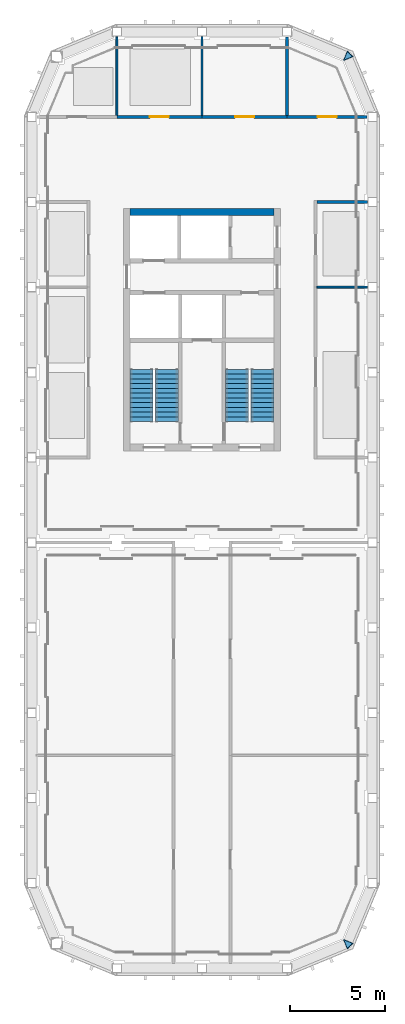
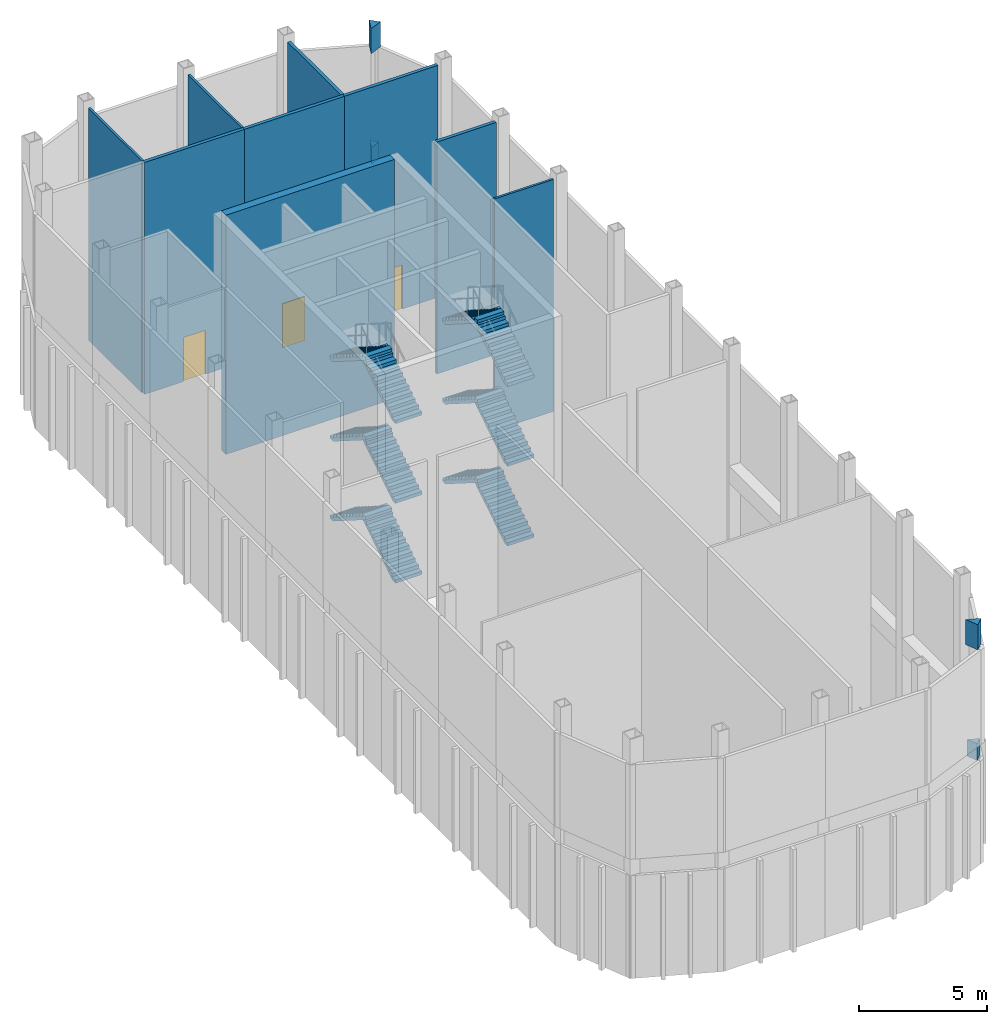
# One storey, part 3 of 8: 12 stair flights, 9 walls, 4 discrete accessories, 3 doors, 3 openings, 2 elements without a shape of their own.
"""IFC4 building model written with IfcOpenShell, lengths in metres."""

from ifc_helpers import new_model, si_unit, direction, frame, frame_2d, origin, place, context, subcontext, project, spatial, polyline, rectangle, outline, extrude, material, layer, layer_set, type_object, element, fill, aggregate, save


model = new_model("IFC4")

# Units and contexts
model_context = context("Model", 3, precision=1e-05, world=origin(), true_north=direction((0.0, 1.0)))
body_context = subcontext(model_context, "Body", "Model", "MODEL_VIEW")
ifc_project = project(units=[si_unit("LENGTHUNIT", "METRE"), si_unit("AREAUNIT", "SQUARE_METRE"), si_unit("VOLUMEUNIT", "CUBIC_METRE"), si_unit("PLANEANGLEUNIT", "RADIAN"), si_unit("MASSUNIT", "GRAM", prefix="KILO")], contexts=[model_context])

# Site, building, storey
site_placement = place(None, origin())
site = spatial("IfcSite", under=ifc_project, at=site_placement, CompositionType="ELEMENT")
building_placement = place(site_placement, origin())
building = spatial("IfcBuilding", under=site, at=building_placement, Name="Girih Gate Residences", CompositionType="ELEMENT")
storey_placement = place(building_placement, frame((0.0, 0.0, 235.695068359375)))
storey = spatial("IfcBuildingStorey", under=building, at=storey_placement, Name="L66", CompositionType="ELEMENT", Elevation=235.695068359375)

# Wall, opening, door
ifc_material_1 = material(Name="Gypsum board on steel studs", Category="steel")
ifc_layer_1 = layer(ifc_material_1, 0.14990234375)
ifc_layer_set_1 = layer_set([ifc_layer_1], Name="Compartment wall 150 mm")
wall_type_1 = type_object("IfcWallType", Name="Compartment wall 150 mm", PredefinedType="PARTITIONING", material=ifc_layer_set_1)
wall_1_placement = place(storey_placement, frame((4.5, 45.0, 0.0), z_axis=(0.0, 0.0, 1.0), x_axis=(1.0, 0.0, 0.0)))
wall_1 = element("IfcWall", 1, at=wall_1_placement, inside=storey, type_object=wall_type_1, Name="L66 partition", PredefinedType="PARTITIONING", context=body_context, shape_type="SweptSolid", body=[
    extrude(rectangle(XDim=4.5, YDim=0.14990234375, at=frame_2d((2.25, 0.0))), origin(), (0.0, 0.0, 1.0), 11.050048828125),
])
opening_1_placement = place(wall_1_placement, frame((1.75, 0.0, 0.0)))
opening_1 = element("IfcOpeningElement", 2, at=opening_1_placement, cuts=wall_1, Name="Opening D-L66-S-006", PredefinedType="OPENING", context=body_context, shape_type="SweptSolid", body=[
    extrude(rectangle(XDim=1.0, YDim=2.10009765625, at=frame_2d((0.5, 1.050048828125))), frame((0.0, 0.0849609375, 0.0), z_axis=(0.0, -1.0, 0.0), x_axis=(1.0, 0.0, 0.0)), (0.0, 0.0, 1.0), 0.169921875),
])
ifc_material_2 = material(Name="Painted steel, fire-resisting", Category="steel")
door_type = type_object("IfcDoorType", Name="Plant room door 1000x2100 FD60", OperationType="SINGLE_SWING_LEFT", PredefinedType="DOOR", material=ifc_material_2)
door_1_placement = place(opening_1_placement, origin())
door_1 = element("IfcDoor", 3, at=door_1_placement, inside=storey, type_object=door_type, Name="Door L66-006", OperationType="SINGLE_SWING_RIGHT", OverallHeight=2.10009765625, OverallWidth=1.0, PredefinedType="DOOR", context=body_context, shape_type="SweptSolid", body=[
    extrude(rectangle(XDim=1.0, YDim=2.10009765625, at=frame_2d((0.5, 1.050048828125))), frame((0.0, 0.02490234375, 0.0), z_axis=(0.0, -1.0, 0.0), x_axis=(1.0, 0.0, 0.0)), (0.0, 0.0, 1.0), 0.050048828125),
])
fill(opening_1, door_1)

# Wall
wall_2_placement = place(storey_placement, frame((13.5, 45.074951171875, 0.0), z_axis=(0.0, 0.0, 1.0), x_axis=(0.0, 1.0, 0.0)))
element("IfcWall", 4, at=wall_2_placement, inside=storey, type_object=wall_type_1, Name="L66 partition", PredefinedType="PARTITIONING", context=body_context, shape_type="SweptSolid", body=[
    extrude(rectangle(XDim=4.154541015625, YDim=0.14990234375, at=frame_2d((2.0771484375, 0.0))), origin(), (0.0, 0.0, 1.0), 11.050048828125),
])

# Wall, opening, door
wall_3_placement = place(storey_placement, frame((9.0, 45.0, 0.0), z_axis=(0.0, 0.0, 1.0), x_axis=(1.0, 0.0, 0.0)))
wall_3 = element("IfcWall", 5, at=wall_3_placement, inside=storey, type_object=wall_type_1, Name="L66 partition", PredefinedType="PARTITIONING", context=body_context, shape_type="SweptSolid", body=[
    extrude(rectangle(XDim=4.5, YDim=0.14990234375, at=frame_2d((2.25, 0.0))), origin(), (0.0, 0.0, 1.0), 11.050048828125),
])
opening_2_placement = place(wall_3_placement, frame((1.75, 0.0, 0.0)))
opening_2 = element("IfcOpeningElement", 6, at=opening_2_placement, cuts=wall_3, Name="Opening D-L66-S-007", PredefinedType="OPENING", context=body_context, shape_type="SweptSolid", body=[
    extrude(rectangle(XDim=1.0, YDim=2.10009765625, at=frame_2d((0.5, 1.050048828125))), frame((0.0, 0.0849609375, 0.0), z_axis=(0.0, -1.0, 0.0), x_axis=(1.0, 0.0, 0.0)), (0.0, 0.0, 1.0), 0.169921875),
])
door_2_placement = place(opening_2_placement, origin())
door_2 = element("IfcDoor", 7, at=door_2_placement, inside=storey, type_object=door_type, Name="Door L66-007", OperationType="SINGLE_SWING_RIGHT", OverallHeight=2.10009765625, OverallWidth=1.0, PredefinedType="DOOR", context=body_context, shape_type="SweptSolid", body=[
    extrude(rectangle(XDim=1.0, YDim=2.10009765625, at=frame_2d((0.5, 1.050048828125))), frame((0.0, 0.02490234375, 0.0), z_axis=(0.0, -1.0, 0.0), x_axis=(1.0, 0.0, 0.0)), (0.0, 0.0, 1.0), 0.050048828125),
])
fill(opening_2, door_2)

wall_4_placement = place(storey_placement, frame((13.5, 45.0, 0.0), z_axis=(0.0, 0.0, 1.0), x_axis=(1.0, 0.0, 0.0)))
wall_4 = element("IfcWall", 8, at=wall_4_placement, inside=storey, type_object=wall_type_1, Name="L66 partition", PredefinedType="PARTITIONING", context=body_context, shape_type="SweptSolid", body=[
    extrude(rectangle(XDim=4.2294921875, YDim=0.14990234375, at=frame_2d((2.11474609375, 0.0))), origin(), (0.0, 0.0, 1.0), 11.050048828125),
])
opening_3_placement = place(wall_4_placement, frame((1.61474609375, 0.0, 0.0)))
opening_3 = element("IfcOpeningElement", 9, at=opening_3_placement, cuts=wall_4, Name="Opening D-L66-S-008", PredefinedType="OPENING", context=body_context, shape_type="SweptSolid", body=[
    extrude(rectangle(XDim=1.0, YDim=2.10009765625, at=frame_2d((0.5, 1.050048828125))), frame((0.0, 0.0849609375, 0.0), z_axis=(0.0, -1.0, 0.0), x_axis=(1.0, 0.0, 0.0)), (0.0, 0.0, 1.0), 0.169921875),
])
door_3_placement = place(opening_3_placement, origin())
door_3 = element("IfcDoor", 10, at=door_3_placement, inside=storey, type_object=door_type, Name="Door L66-008", OperationType="SINGLE_SWING_RIGHT", OverallHeight=2.10009765625, OverallWidth=1.0, PredefinedType="DOOR", context=body_context, shape_type="SweptSolid", body=[
    extrude(rectangle(XDim=1.0, YDim=2.10009765625, at=frame_2d((0.5, 1.050048828125))), frame((0.0, 0.02490234375, 0.0), z_axis=(0.0, -1.0, 0.0), x_axis=(1.0, 0.0, 0.0)), (0.0, 0.0, 1.0), 0.050048828125),
])
fill(opening_3, door_3)

# Walls
wall_5_placement = place(storey_placement, frame((15.074951171875, 40.5, 0.0), z_axis=(0.0, 0.0, 1.0), x_axis=(1.0, 0.0, 0.0)))
element("IfcWall", 11, at=wall_5_placement, inside=storey, type_object=wall_type_1, Name="L66 partition", PredefinedType="PARTITIONING", context=body_context, shape_type="SweptSolid", body=[
    extrude(rectangle(XDim=2.675048828125, YDim=0.14990234375, at=frame_2d((1.33740234375, 0.0))), origin(), (0.0, 0.0, 1.0), 11.050048828125),
])
ifc_material_3 = material(Name="Concrete C60/75", Category="concrete")
ifc_layer_2 = layer(ifc_material_3, 0.35009765625)
ifc_layer_set_2 = layer_set([ifc_layer_2], Name="Core wall RC 350 Concrete C60/75")
wall_type_2 = type_object("IfcWallType", Name="Core wall RC 350 Concrete C60/75", PredefinedType="SOLIDWALL", material=ifc_layer_set_2)
wall_6_placement = place(storey_placement, frame((5.199951171875, 39.97509765625, 0.0), z_axis=(0.0, 0.0, 1.0), x_axis=(1.0, 0.0, 0.0)))
element("IfcWall", 12, at=wall_6_placement, inside=storey, type_object=wall_type_2, Name="Core wall W-N L66", PredefinedType="SOLIDWALL", context=body_context, shape_type="SweptSolid", body=[
    extrude(rectangle(XDim=7.60009765625, YDim=0.35009765625, at=frame_2d((3.800048828125, 0.0))), origin(), (0.0, 0.0, 1.0), 11.39990234375),
])
ifc_layer_3 = layer(ifc_material_1, 0.10009765625)
ifc_layer_set_3 = layer_set([ifc_layer_3], Name="Partition 100 mm")
wall_type_3 = type_object("IfcWallType", Name="Partition 100 mm", PredefinedType="PARTITIONING", material=ifc_layer_set_3)
wall_7_placement = place(storey_placement, frame((4.5, 45.074951171875, 0.0), z_axis=(0.0, 0.0, 1.0), x_axis=(0.0, 1.0, 0.0)))
element("IfcWall", 13, at=wall_7_placement, inside=storey, type_object=wall_type_3, Name="L66 partition", PredefinedType="PARTITIONING", context=body_context, shape_type="SweptSolid", body=[
    extrude(rectangle(XDim=4.154541015625, YDim=0.10009765625, at=frame_2d((2.0771484375, 0.0))), origin(), (0.0, 0.0, 1.0), 11.050048828125),
])
wall_8_placement = place(storey_placement, frame((9.0, 45.074951171875, 0.0), z_axis=(0.0, 0.0, 1.0), x_axis=(0.0, 1.0, 0.0)))
element("IfcWall", 14, at=wall_8_placement, inside=storey, type_object=wall_type_3, Name="L66 partition", PredefinedType="PARTITIONING", context=body_context, shape_type="SweptSolid", body=[
    extrude(rectangle(XDim=4.175048828125, YDim=0.10009765625, at=frame_2d((2.08740234375, 0.0))), origin(), (0.0, 0.0, 1.0), 11.050048828125),
])
wall_9_placement = place(storey_placement, frame((15.074951171875, 36.0, 0.0), z_axis=(0.0, 0.0, 1.0), x_axis=(1.0, 0.0, 0.0)))
element("IfcWall", 15, at=wall_9_placement, inside=storey, type_object=wall_type_3, Name="L66 partition", PredefinedType="PARTITIONING", context=body_context, shape_type="SweptSolid", body=[
    extrude(rectangle(XDim=2.675048828125, YDim=0.10009765625, at=frame_2d((1.33740234375, 0.0))), origin(), (0.0, 0.0, 1.0), 11.050048828125),
])

# Stair, stair flights
ifc_material_4 = material(Name="Concrete C40/50", Category="concrete")
stair_type = type_object("IfcStairType", Name="Exit stair", PredefinedType="HALF_TURN_STAIR", material=ifc_material_4)
stair_1_placement = place(storey_placement, origin())
stair_1 = element("IfcStair", 16, at=stair_1_placement, inside=storey, type_object=stair_type, Name="L66 Exit Stair ST-W1", PredefinedType="HALF_TURN_STAIR")
stair_flight_type = type_object("IfcStairFlightType", Name="Stair flight 1200", PredefinedType="STRAIGHT", material=ifc_material_4)
stair_flight_1_placement = place(storey_placement, frame((7.14990234375, 28.89990234375, 0.0), z_axis=(0.0, 0.0, 1.0), x_axis=(0.0, 1.0, 0.0)))
stair_flight_1 = element("IfcStairFlight", 17, at=stair_flight_1_placement, type_object=stair_flight_type, Name="ST-W1 flight 1", NumberOfRisers=12, NumberOfTreads=11, PredefinedType="STRAIGHT", RiserHeight=0.158333333, TreadLength=0.25, context=body_context, shape_type="SweptSolid", body=[
    extrude(outline(polyline([(0.0, 0.0), (0.0, 0.158447265625), (0.25, 0.158447265625), (0.25, 0.316650390625), (0.5, 0.316650390625), (0.5, 0.47509765625), (0.75, 0.47509765625), (0.75, 0.63330078125), (1.0, 0.63330078125), (1.0, 0.791748046875), (1.25, 0.791748046875), (1.25, 0.949951171875), (1.5, 0.949951171875), (1.5, 1.1083984375), (1.75, 1.1083984375), (1.75, 1.2666015625), (2.0, 1.2666015625), (2.0, 1.425048828125), (2.25, 1.425048828125), (2.25, 1.583251953125), (2.5, 1.583251953125), (2.5, 1.74169921875), (2.75, 1.74169921875), (2.75, 1.89990234375), (2.75, 1.599365234375), (0.224609375, 0.0), (0.0, 0.0)])), frame((0.0, 0.60009765625, 0.0), z_axis=(0.0, -1.0, 0.0), x_axis=(1.0, 0.0, 0.0)), (0.0, 0.0, 1.0), 1.199951171875),
])
stair_flight_2_placement = place(storey_placement, frame((5.800048828125, 31.64990234375, 1.89990234375), z_axis=(0.0, 0.0, 1.0), x_axis=(0.0, -1.0, 0.0)))
stair_flight_2 = element("IfcStairFlight", 18, at=stair_flight_2_placement, type_object=stair_flight_type, Name="ST-W1 flight 2", NumberOfRisers=12, NumberOfTreads=11, PredefinedType="STRAIGHT", RiserHeight=0.158333333, TreadLength=0.25, context=body_context, shape_type="SweptSolid", body=[
    extrude(outline(polyline([(0.0, 0.0), (0.0, 0.158447265625), (0.25, 0.158447265625), (0.25, 0.316650390625), (0.5, 0.316650390625), (0.5, 0.47509765625), (0.75, 0.47509765625), (0.75, 0.63330078125), (1.0, 0.63330078125), (1.0, 0.791748046875), (1.25, 0.791748046875), (1.25, 0.949951171875), (1.5, 0.949951171875), (1.5, 1.1083984375), (1.75, 1.1083984375), (1.75, 1.2666015625), (2.0, 1.2666015625), (2.0, 1.425048828125), (2.25, 1.425048828125), (2.25, 1.583251953125), (2.5, 1.583251953125), (2.5, 1.74169921875), (2.75, 1.74169921875), (2.75, 1.89990234375), (2.75, 1.599365234375), (0.224609375, 0.0), (0.0, 0.0)])), frame((0.0, 0.60009765625, 0.0), z_axis=(0.0, -1.0, 0.0), x_axis=(1.0, 0.0, 0.0)), (0.0, 0.0, 1.0), 1.199951171875),
])
stair_flight_3_placement = place(storey_placement, frame((7.14990234375, 28.89990234375, 3.800048828125), z_axis=(0.0, 0.0, 1.0), x_axis=(0.0, 1.0, 0.0)))
stair_flight_3 = element("IfcStairFlight", 19, at=stair_flight_3_placement, type_object=stair_flight_type, Name="ST-W1 flight 3", NumberOfRisers=12, NumberOfTreads=11, PredefinedType="STRAIGHT", RiserHeight=0.158333333, TreadLength=0.25, context=body_context, shape_type="SweptSolid", body=[
    extrude(outline(polyline([(0.0, 0.0), (0.0, 0.158447265625), (0.25, 0.158447265625), (0.25, 0.316650390625), (0.5, 0.316650390625), (0.5, 0.47509765625), (0.75, 0.47509765625), (0.75, 0.63330078125), (1.0, 0.63330078125), (1.0, 0.791748046875), (1.25, 0.791748046875), (1.25, 0.949951171875), (1.5, 0.949951171875), (1.5, 1.1083984375), (1.75, 1.1083984375), (1.75, 1.2666015625), (2.0, 1.2666015625), (2.0, 1.425048828125), (2.25, 1.425048828125), (2.25, 1.583251953125), (2.5, 1.583251953125), (2.5, 1.74169921875), (2.75, 1.74169921875), (2.75, 1.89990234375), (2.75, 1.599365234375), (0.224609375, 0.0), (0.0, 0.0)])), frame((0.0, 0.60009765625, 0.0), z_axis=(0.0, -1.0, 0.0), x_axis=(1.0, 0.0, 0.0)), (0.0, 0.0, 1.0), 1.199951171875),
])
stair_flight_4_placement = place(storey_placement, frame((5.800048828125, 31.64990234375, 5.699951171875), z_axis=(0.0, 0.0, 1.0), x_axis=(0.0, -1.0, 0.0)))
stair_flight_4 = element("IfcStairFlight", 20, at=stair_flight_4_placement, type_object=stair_flight_type, Name="ST-W1 flight 4", NumberOfRisers=12, NumberOfTreads=11, PredefinedType="STRAIGHT", RiserHeight=0.158333333, TreadLength=0.25, context=body_context, shape_type="SweptSolid", body=[
    extrude(outline(polyline([(0.0, 0.0), (0.0, 0.158447265625), (0.25, 0.158447265625), (0.25, 0.316650390625), (0.5, 0.316650390625), (0.5, 0.47509765625), (0.75, 0.47509765625), (0.75, 0.63330078125), (1.0, 0.63330078125), (1.0, 0.791748046875), (1.25, 0.791748046875), (1.25, 0.949951171875), (1.5, 0.949951171875), (1.5, 1.1083984375), (1.75, 1.1083984375), (1.75, 1.2666015625), (2.0, 1.2666015625), (2.0, 1.425048828125), (2.25, 1.425048828125), (2.25, 1.583251953125), (2.5, 1.583251953125), (2.5, 1.74169921875), (2.75, 1.74169921875), (2.75, 1.89990234375), (2.75, 1.599365234375), (0.224609375, 0.0), (0.0, 0.0)])), frame((0.0, 0.60009765625, 0.0), z_axis=(0.0, -1.0, 0.0), x_axis=(1.0, 0.0, 0.0)), (0.0, 0.0, 1.0), 1.199951171875),
])
stair_flight_5_placement = place(storey_placement, frame((7.14990234375, 28.89990234375, 7.599853515625), z_axis=(0.0, 0.0, 1.0), x_axis=(0.0, 1.0, 0.0)))
stair_flight_5 = element("IfcStairFlight", 21, at=stair_flight_5_placement, type_object=stair_flight_type, Name="ST-W1 flight 5", NumberOfRisers=12, NumberOfTreads=11, PredefinedType="STRAIGHT", RiserHeight=0.158333333, TreadLength=0.25, context=body_context, shape_type="SweptSolid", body=[
    extrude(outline(polyline([(0.0, 0.0), (0.0, 0.158447265625), (0.25, 0.158447265625), (0.25, 0.316650390625), (0.5, 0.316650390625), (0.5, 0.47509765625), (0.75, 0.47509765625), (0.75, 0.63330078125), (1.0, 0.63330078125), (1.0, 0.791748046875), (1.25, 0.791748046875), (1.25, 0.949951171875), (1.5, 0.949951171875), (1.5, 1.1083984375), (1.75, 1.1083984375), (1.75, 1.2666015625), (2.0, 1.2666015625), (2.0, 1.425048828125), (2.25, 1.425048828125), (2.25, 1.583251953125), (2.5, 1.583251953125), (2.5, 1.74169921875), (2.75, 1.74169921875), (2.75, 1.89990234375), (2.75, 1.599365234375), (0.224609375, 0.0), (0.0, 0.0)])), frame((0.0, 0.60009765625, 0.0), z_axis=(0.0, -1.0, 0.0), x_axis=(1.0, 0.0, 0.0)), (0.0, 0.0, 1.0), 1.199951171875),
])
stair_flight_6_placement = place(storey_placement, frame((5.800048828125, 31.64990234375, 9.5), z_axis=(0.0, 0.0, 1.0), x_axis=(0.0, -1.0, 0.0)))
stair_flight_6 = element("IfcStairFlight", 22, at=stair_flight_6_placement, type_object=stair_flight_type, Name="ST-W1 flight 6", NumberOfRisers=12, NumberOfTreads=11, PredefinedType="STRAIGHT", RiserHeight=0.158333333, TreadLength=0.25, context=body_context, shape_type="SweptSolid", body=[
    extrude(outline(polyline([(0.0, 0.0), (0.0, 0.158447265625), (0.25, 0.158447265625), (0.25, 0.316650390625), (0.5, 0.316650390625), (0.5, 0.47509765625), (0.75, 0.47509765625), (0.75, 0.63330078125), (1.0, 0.63330078125), (1.0, 0.791748046875), (1.25, 0.791748046875), (1.25, 0.949951171875), (1.5, 0.949951171875), (1.5, 1.1083984375), (1.75, 1.1083984375), (1.75, 1.2666015625), (2.0, 1.2666015625), (2.0, 1.425048828125), (2.25, 1.425048828125), (2.25, 1.583251953125), (2.5, 1.583251953125), (2.5, 1.74169921875), (2.75, 1.74169921875), (2.75, 1.89990234375), (2.75, 1.599365234375), (0.224609375, 0.0), (0.0, 0.0)])), frame((0.0, 0.60009765625, 0.0), z_axis=(0.0, -1.0, 0.0), x_axis=(1.0, 0.0, 0.0)), (0.0, 0.0, 1.0), 1.199951171875),
])
aggregate(stair_1, [stair_flight_1, stair_flight_2, stair_flight_3, stair_flight_4, stair_flight_5, stair_flight_6])

stair_2_placement = place(storey_placement, origin())
stair_2 = element("IfcStair", 23, at=stair_2_placement, inside=storey, type_object=stair_type, Name="L66 Exit Stair ST-W2", PredefinedType="HALF_TURN_STAIR")
stair_flight_7_placement = place(storey_placement, frame((12.199951171875, 28.89990234375, 0.0), z_axis=(0.0, 0.0, 1.0), x_axis=(0.0, 1.0, 0.0)))
stair_flight_7 = element("IfcStairFlight", 24, at=stair_flight_7_placement, type_object=stair_flight_type, Name="ST-W2 flight 1", NumberOfRisers=12, NumberOfTreads=11, PredefinedType="STRAIGHT", RiserHeight=0.158333333, TreadLength=0.25, context=body_context, shape_type="SweptSolid", body=[
    extrude(outline(polyline([(0.0, 0.0), (0.0, 0.158447265625), (0.25, 0.158447265625), (0.25, 0.316650390625), (0.5, 0.316650390625), (0.5, 0.47509765625), (0.75, 0.47509765625), (0.75, 0.63330078125), (1.0, 0.63330078125), (1.0, 0.791748046875), (1.25, 0.791748046875), (1.25, 0.949951171875), (1.5, 0.949951171875), (1.5, 1.1083984375), (1.75, 1.1083984375), (1.75, 1.2666015625), (2.0, 1.2666015625), (2.0, 1.425048828125), (2.25, 1.425048828125), (2.25, 1.583251953125), (2.5, 1.583251953125), (2.5, 1.74169921875), (2.75, 1.74169921875), (2.75, 1.89990234375), (2.75, 1.599365234375), (0.224609375, 0.0), (0.0, 0.0)])), frame((0.0, 0.60009765625, 0.0), z_axis=(0.0, -1.0, 0.0), x_axis=(1.0, 0.0, 0.0)), (0.0, 0.0, 1.0), 1.199951171875),
])
stair_flight_8_placement = place(storey_placement, frame((10.85009765625, 31.64990234375, 1.89990234375), z_axis=(0.0, 0.0, 1.0), x_axis=(0.0, -1.0, 0.0)))
stair_flight_8 = element("IfcStairFlight", 25, at=stair_flight_8_placement, type_object=stair_flight_type, Name="ST-W2 flight 2", NumberOfRisers=12, NumberOfTreads=11, PredefinedType="STRAIGHT", RiserHeight=0.158333333, TreadLength=0.25, context=body_context, shape_type="SweptSolid", body=[
    extrude(outline(polyline([(0.0, 0.0), (0.0, 0.158447265625), (0.25, 0.158447265625), (0.25, 0.316650390625), (0.5, 0.316650390625), (0.5, 0.47509765625), (0.75, 0.47509765625), (0.75, 0.63330078125), (1.0, 0.63330078125), (1.0, 0.791748046875), (1.25, 0.791748046875), (1.25, 0.949951171875), (1.5, 0.949951171875), (1.5, 1.1083984375), (1.75, 1.1083984375), (1.75, 1.2666015625), (2.0, 1.2666015625), (2.0, 1.425048828125), (2.25, 1.425048828125), (2.25, 1.583251953125), (2.5, 1.583251953125), (2.5, 1.74169921875), (2.75, 1.74169921875), (2.75, 1.89990234375), (2.75, 1.599365234375), (0.224609375, 0.0), (0.0, 0.0)])), frame((0.0, 0.60009765625, 0.0), z_axis=(0.0, -1.0, 0.0), x_axis=(1.0, 0.0, 0.0)), (0.0, 0.0, 1.0), 1.199951171875),
])
stair_flight_9_placement = place(storey_placement, frame((12.199951171875, 28.89990234375, 3.800048828125), z_axis=(0.0, 0.0, 1.0), x_axis=(0.0, 1.0, 0.0)))
stair_flight_9 = element("IfcStairFlight", 26, at=stair_flight_9_placement, type_object=stair_flight_type, Name="ST-W2 flight 3", NumberOfRisers=12, NumberOfTreads=11, PredefinedType="STRAIGHT", RiserHeight=0.158333333, TreadLength=0.25, context=body_context, shape_type="SweptSolid", body=[
    extrude(outline(polyline([(0.0, 0.0), (0.0, 0.158447265625), (0.25, 0.158447265625), (0.25, 0.316650390625), (0.5, 0.316650390625), (0.5, 0.47509765625), (0.75, 0.47509765625), (0.75, 0.63330078125), (1.0, 0.63330078125), (1.0, 0.791748046875), (1.25, 0.791748046875), (1.25, 0.949951171875), (1.5, 0.949951171875), (1.5, 1.1083984375), (1.75, 1.1083984375), (1.75, 1.2666015625), (2.0, 1.2666015625), (2.0, 1.425048828125), (2.25, 1.425048828125), (2.25, 1.583251953125), (2.5, 1.583251953125), (2.5, 1.74169921875), (2.75, 1.74169921875), (2.75, 1.89990234375), (2.75, 1.599365234375), (0.224609375, 0.0), (0.0, 0.0)])), frame((0.0, 0.60009765625, 0.0), z_axis=(0.0, -1.0, 0.0), x_axis=(1.0, 0.0, 0.0)), (0.0, 0.0, 1.0), 1.199951171875),
])
stair_flight_10_placement = place(storey_placement, frame((10.85009765625, 31.64990234375, 5.699951171875), z_axis=(0.0, 0.0, 1.0), x_axis=(0.0, -1.0, 0.0)))
stair_flight_10 = element("IfcStairFlight", 27, at=stair_flight_10_placement, type_object=stair_flight_type, Name="ST-W2 flight 4", NumberOfRisers=12, NumberOfTreads=11, PredefinedType="STRAIGHT", RiserHeight=0.158333333, TreadLength=0.25, context=body_context, shape_type="SweptSolid", body=[
    extrude(outline(polyline([(0.0, 0.0), (0.0, 0.158447265625), (0.25, 0.158447265625), (0.25, 0.316650390625), (0.5, 0.316650390625), (0.5, 0.47509765625), (0.75, 0.47509765625), (0.75, 0.63330078125), (1.0, 0.63330078125), (1.0, 0.791748046875), (1.25, 0.791748046875), (1.25, 0.949951171875), (1.5, 0.949951171875), (1.5, 1.1083984375), (1.75, 1.1083984375), (1.75, 1.2666015625), (2.0, 1.2666015625), (2.0, 1.425048828125), (2.25, 1.425048828125), (2.25, 1.583251953125), (2.5, 1.583251953125), (2.5, 1.74169921875), (2.75, 1.74169921875), (2.75, 1.89990234375), (2.75, 1.599365234375), (0.224609375, 0.0), (0.0, 0.0)])), frame((0.0, 0.60009765625, 0.0), z_axis=(0.0, -1.0, 0.0), x_axis=(1.0, 0.0, 0.0)), (0.0, 0.0, 1.0), 1.199951171875),
])
stair_flight_11_placement = place(storey_placement, frame((12.199951171875, 28.89990234375, 7.599853515625), z_axis=(0.0, 0.0, 1.0), x_axis=(0.0, 1.0, 0.0)))
stair_flight_11 = element("IfcStairFlight", 28, at=stair_flight_11_placement, type_object=stair_flight_type, Name="ST-W2 flight 5", NumberOfRisers=12, NumberOfTreads=11, PredefinedType="STRAIGHT", RiserHeight=0.158333333, TreadLength=0.25, context=body_context, shape_type="SweptSolid", body=[
    extrude(outline(polyline([(0.0, 0.0), (0.0, 0.158447265625), (0.25, 0.158447265625), (0.25, 0.316650390625), (0.5, 0.316650390625), (0.5, 0.47509765625), (0.75, 0.47509765625), (0.75, 0.63330078125), (1.0, 0.63330078125), (1.0, 0.791748046875), (1.25, 0.791748046875), (1.25, 0.949951171875), (1.5, 0.949951171875), (1.5, 1.1083984375), (1.75, 1.1083984375), (1.75, 1.2666015625), (2.0, 1.2666015625), (2.0, 1.425048828125), (2.25, 1.425048828125), (2.25, 1.583251953125), (2.5, 1.583251953125), (2.5, 1.74169921875), (2.75, 1.74169921875), (2.75, 1.89990234375), (2.75, 1.599365234375), (0.224609375, 0.0), (0.0, 0.0)])), frame((0.0, 0.60009765625, 0.0), z_axis=(0.0, -1.0, 0.0), x_axis=(1.0, 0.0, 0.0)), (0.0, 0.0, 1.0), 1.199951171875),
])
stair_flight_12_placement = place(storey_placement, frame((10.85009765625, 31.64990234375, 9.5), z_axis=(0.0, 0.0, 1.0), x_axis=(0.0, -1.0, 0.0)))
stair_flight_12 = element("IfcStairFlight", 29, at=stair_flight_12_placement, type_object=stair_flight_type, Name="ST-W2 flight 6", NumberOfRisers=12, NumberOfTreads=11, PredefinedType="STRAIGHT", RiserHeight=0.158333333, TreadLength=0.25, context=body_context, shape_type="SweptSolid", body=[
    extrude(outline(polyline([(0.0, 0.0), (0.0, 0.158447265625), (0.25, 0.158447265625), (0.25, 0.316650390625), (0.5, 0.316650390625), (0.5, 0.47509765625), (0.75, 0.47509765625), (0.75, 0.63330078125), (1.0, 0.63330078125), (1.0, 0.791748046875), (1.25, 0.791748046875), (1.25, 0.949951171875), (1.5, 0.949951171875), (1.5, 1.1083984375), (1.75, 1.1083984375), (1.75, 1.2666015625), (2.0, 1.2666015625), (2.0, 1.425048828125), (2.25, 1.425048828125), (2.25, 1.583251953125), (2.5, 1.583251953125), (2.5, 1.74169921875), (2.75, 1.74169921875), (2.75, 1.89990234375), (2.75, 1.599365234375), (0.224609375, 0.0), (0.0, 0.0)])), frame((0.0, 0.60009765625, 0.0), z_axis=(0.0, -1.0, 0.0), x_axis=(1.0, 0.0, 0.0)), (0.0, 0.0, 1.0), 1.199951171875),
])
aggregate(stair_2, [stair_flight_7, stair_flight_8, stair_flight_9, stair_flight_10, stair_flight_11, stair_flight_12])

# Discrete accessories
ifc_material_5 = material(Name="Painted steel plate", Category="steel")
ifc_layer_4 = layer(ifc_material_5, 0.0400390625)
ifc_layer_set_4 = layer_set([ifc_layer_4], Name="Crown ring node plate")
discrete_accessory_type = type_object("IfcDiscreteAccessoryType", Name="Crown ring node plate", PredefinedType="BRACKET", material=ifc_layer_set_4)
discrete_accessory_1_placement = place(storey_placement, frame((0.0, 0.0, 4.89990234375)))
element("IfcDiscreteAccessory", 30, at=discrete_accessory_1_placement, inside=storey, type_object=discrete_accessory_type, Name="Crown ring node plate 241.4 1", PredefinedType="BRACKET", context=body_context, shape_type="SweptSolid", body=[
    extrude(outline(polyline([(16.490478515625, 47.990478515625), (16.95263671875, 48.181884765625), (16.681884765625, 48.45263671875), (16.490478515625, 47.990478515625)])), origin(), (0.0, 0.0, 1.0), 0.800048828125),
])
discrete_accessory_2_placement = place(storey_placement, frame((0.0, 0.0, 4.89990234375)))
element("IfcDiscreteAccessory", 31, at=discrete_accessory_2_placement, inside=storey, type_object=discrete_accessory_type, Name="Crown ring node plate 241.4 20", PredefinedType="BRACKET", context=body_context, shape_type="SweptSolid", body=[
    extrude(outline(polyline([(16.490478515625, 1.509521484375), (16.681884765625, 1.04736328125), (16.95263671875, 1.318115234375), (16.490478515625, 1.509521484375)])), origin(), (0.0, 0.0, 1.0), 0.800048828125),
])
discrete_accessory_3_placement = place(storey_placement, frame((0.0, 0.0, 10.199951171875)))
element("IfcDiscreteAccessory", 32, at=discrete_accessory_3_placement, inside=storey, type_object=discrete_accessory_type, Name="Crown ring node plate 247.1 1", PredefinedType="BRACKET", context=body_context, shape_type="SweptSolid", body=[
    extrude(outline(polyline([(16.452392578125, 47.952392578125), (17.006591796875, 48.181884765625), (16.681884765625, 48.506591796875), (16.452392578125, 47.952392578125)])), origin(), (0.0, 0.0, 1.0), 1.199951171875),
])
discrete_accessory_4_placement = place(storey_placement, frame((0.0, 0.0, 10.199951171875)))
element("IfcDiscreteAccessory", 33, at=discrete_accessory_4_placement, inside=storey, type_object=discrete_accessory_type, Name="Crown ring node plate 247.1 20", PredefinedType="BRACKET", context=body_context, shape_type="SweptSolid", body=[
    extrude(outline(polyline([(16.452392578125, 1.547607421875), (16.681884765625, 0.993408203125), (17.006591796875, 1.318115234375), (16.452392578125, 1.547607421875)])), origin(), (0.0, 0.0, 1.0), 1.199951171875),
])

save(model, "model.ifc")
